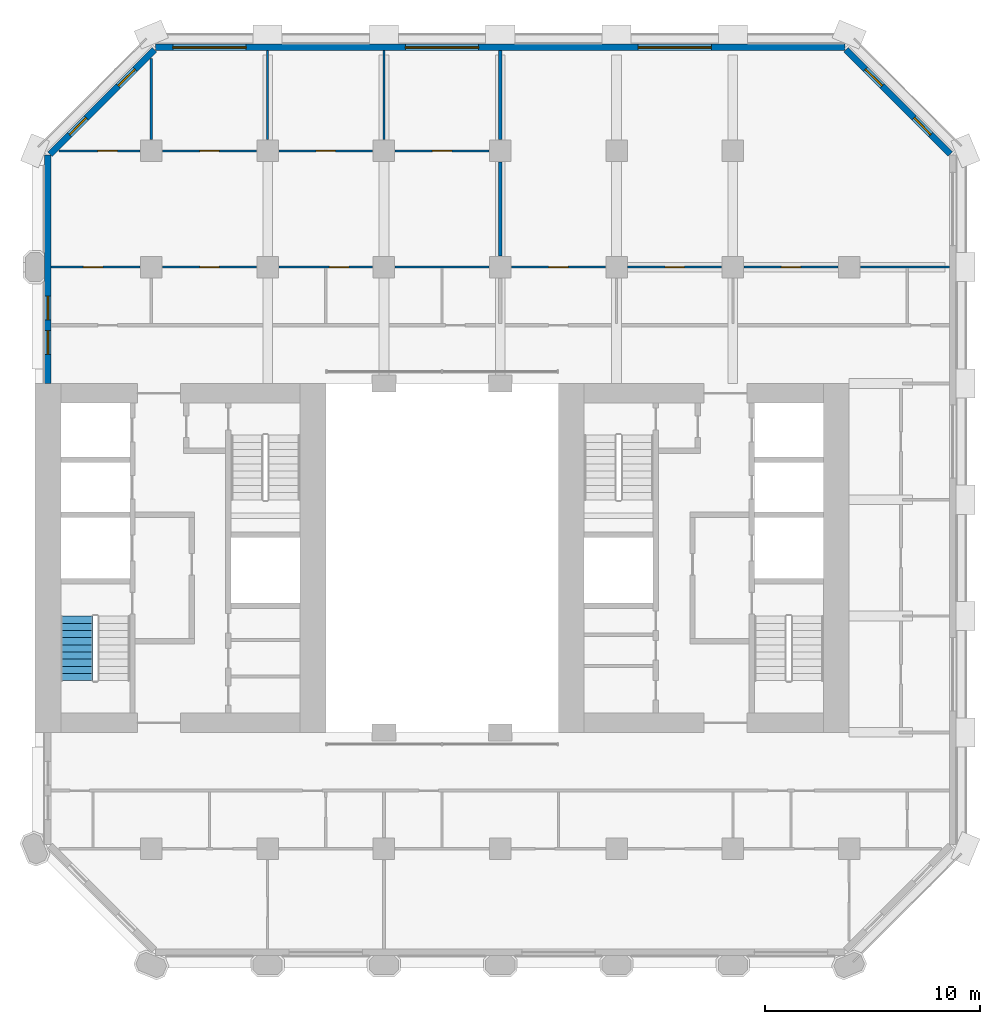
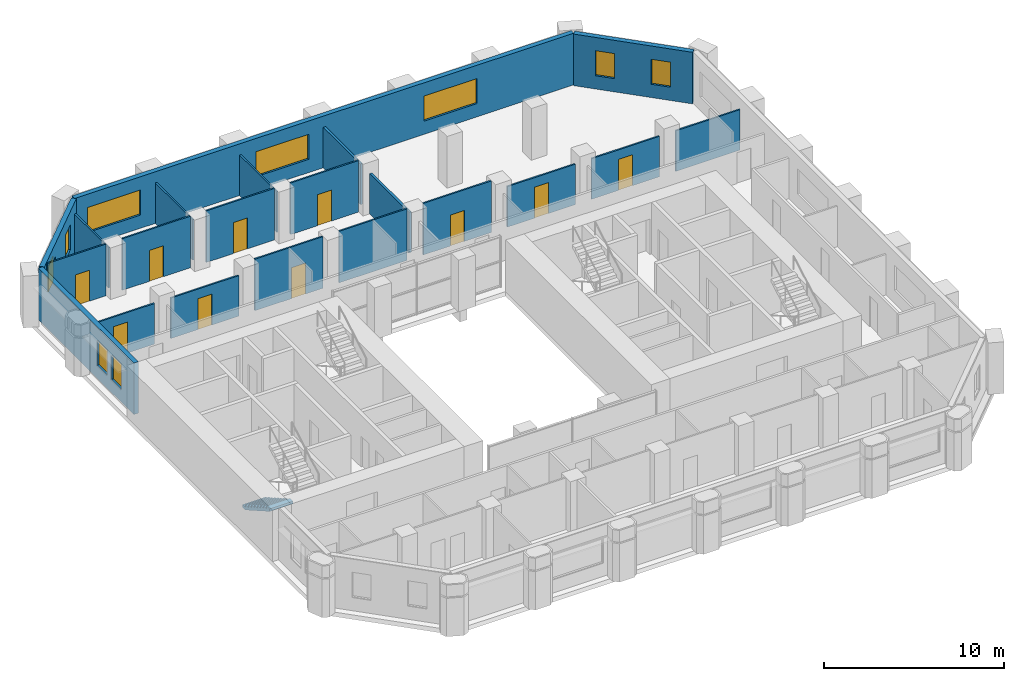
# One storey, part 7 of 11: 21 walls, 10 doors, 9 windows, 1 stair flight, 19 openings, 1 element without a shape of its own.
"""IFC4 building model written with IfcOpenShell, lengths in metres."""

from ifc_helpers import new_model, si_unit, direction, frame, frame_2d, origin, place, context, subcontext, project, spatial, polyline, rectangle, outline, extrude, material, layer, layer_set, type_object, element, fill, aggregate, save


model = new_model("IFC4")

# Units and contexts
model_context = context("Model", 3, precision=1e-05, world=origin(), true_north=direction((0.0, 1.0)))
body_context = subcontext(model_context, "Body", "Model", "MODEL_VIEW")
ifc_project = project(units=[si_unit("LENGTHUNIT", "METRE"), si_unit("AREAUNIT", "SQUARE_METRE"), si_unit("VOLUMEUNIT", "CUBIC_METRE"), si_unit("PLANEANGLEUNIT", "RADIAN"), si_unit("MASSUNIT", "GRAM", prefix="KILO")], contexts=[model_context])

# Site, building, storey
site_placement = place(None, origin())
site = spatial("IfcSite", under=ifc_project, at=site_placement, CompositionType="ELEMENT")
building_placement = place(site_placement, origin())
building = spatial("IfcBuilding", under=site, at=building_placement, Name="Tabaq Tower and Sports Hall", CompositionType="ELEMENT")
storey_placement = place(building_placement, frame((0.0, 0.0, 91.60009765625)))
storey = spatial("IfcBuildingStorey", under=building, at=storey_placement, Name="L21", CompositionType="ELEMENT", Elevation=91.60009765625)

# Wall, opening, door
ifc_material_1 = material(Name="Gypsum board on steel studs", Category="steel")
ifc_layer_1 = layer(ifc_material_1, 0.10009765625)
ifc_layer_set_1 = layer_set([ifc_layer_1], Name="Partition 100 Gypsum board")
wall_type_1 = type_object("IfcWallType", Name="Partition 100 Gypsum board", PredefinedType="PARTITIONING", material=ifc_layer_set_1)
wall_1_placement = place(storey_placement, frame((10.280029296875, 37.800048828125, 0.0), z_axis=(0.0, 0.0, 1.0), x_axis=(-1.0, 0.0, 0.0)))
wall_1 = element("IfcWall", 1, at=wall_1_placement, inside=storey, type_object=wall_type_1, Name="Partition wall L21", PredefinedType="PARTITIONING", context=body_context, shape_type="SweptSolid", body=[
    extrude(rectangle(XDim=4.129150390625, YDim=0.10009765625, at=frame_2d((2.064453125, 0.0))), origin(), (0.0, 0.0, 1.0), 2.75),
])
opening_1_placement = place(wall_1_placement, frame((1.72998046875, 0.0, 0.0)))
opening_1 = element("IfcOpeningElement", 2, at=opening_1_placement, cuts=wall_1, Name="Opening L21-026", PredefinedType="OPENING", context=body_context, shape_type="SweptSolid", body=[
    extrude(rectangle(XDim=0.89990234375, YDim=2.10009765625, at=frame_2d((0.449951171875, 1.050048828125))), frame((0.0, 0.050048828125, 0.0), z_axis=(0.0, -1.0, 0.0), x_axis=(1.0, 0.0, 0.0)), (0.0, 0.0, 1.0), 0.10009765625),
])
ifc_material_2 = material(Name="Timber leaf in steel frame", Category="steel")
door_type_1 = type_object("IfcDoorType", Name="Internal door 900 left hand", OperationType="SINGLE_SWING_LEFT", PredefinedType="DOOR", material=ifc_material_2)
door_1_placement = place(opening_1_placement, origin())
door_1 = element("IfcDoor", 3, at=door_1_placement, inside=storey, type_object=door_type_1, Name="Internal door L21-026", OperationType="SINGLE_SWING_LEFT", OverallHeight=2.10009765625, OverallWidth=0.89990234375, PredefinedType="DOOR", context=body_context, shape_type="SweptSolid", body=[
    extrude(rectangle(XDim=0.89990234375, YDim=2.10009765625, at=frame_2d((0.449951171875, 1.050048828125))), frame((0.0, 0.02490234375, 0.0), z_axis=(0.0, -1.0, 0.0), x_axis=(1.0, 0.0, 0.0)), (0.0, 0.0, 1.0), 0.050048828125),
])
fill(opening_1, door_1)

wall_2_placement = place(storey_placement, frame((15.679931640625, 37.800048828125, 0.0), z_axis=(0.0, 0.0, 1.0), x_axis=(-1.0, 0.0, 0.0)))
wall_2 = element("IfcWall", 4, at=wall_2_placement, inside=storey, type_object=wall_type_1, Name="Partition wall L21", PredefinedType="PARTITIONING", context=body_context, shape_type="SweptSolid", body=[
    extrude(rectangle(XDim=4.35986328125, YDim=0.10009765625, at=frame_2d((2.179931640625, 0.0))), origin(), (0.0, 0.0, 1.0), 2.75),
])
opening_2_placement = place(wall_2_placement, frame((1.72998046875, 0.0, 0.0)))
opening_2 = element("IfcOpeningElement", 5, at=opening_2_placement, cuts=wall_2, Name="Opening L21-009", PredefinedType="OPENING", context=body_context, shape_type="SweptSolid", body=[
    extrude(rectangle(XDim=0.89990234375, YDim=2.10009765625, at=frame_2d((0.449951171875, 1.050048828125))), frame((0.0, 0.050048828125, 0.0), z_axis=(0.0, -1.0, 0.0), x_axis=(1.0, 0.0, 0.0)), (0.0, 0.0, 1.0), 0.10009765625),
])
ifc_material_3 = material(Name="Timber leaf in steel frame", Category="steel")
door_type_2 = type_object("IfcDoorType", Name="Internal door 900 right hand", OperationType="SINGLE_SWING_RIGHT", PredefinedType="DOOR", material=ifc_material_3)
door_2_placement = place(opening_2_placement, origin())
door_2 = element("IfcDoor", 6, at=door_2_placement, inside=storey, type_object=door_type_2, Name="Internal door L21-009", OperationType="SINGLE_SWING_RIGHT", OverallHeight=2.10009765625, OverallWidth=0.89990234375, PredefinedType="DOOR", context=body_context, shape_type="SweptSolid", body=[
    extrude(rectangle(XDim=0.89990234375, YDim=2.10009765625, at=frame_2d((0.449951171875, 1.050048828125))), frame((0.0, 0.02490234375, 0.0), z_axis=(0.0, -1.0, 0.0), x_axis=(1.0, 0.0, 0.0)), (0.0, 0.0, 1.0), 0.050048828125),
])
fill(opening_2, door_2)

wall_3_placement = place(storey_placement, frame((21.080078125, 37.800048828125, 0.0), z_axis=(0.0, 0.0, 1.0), x_axis=(-1.0, 0.0, 0.0)))
wall_3 = element("IfcWall", 7, at=wall_3_placement, inside=storey, type_object=wall_type_1, Name="Partition wall L21", PredefinedType="PARTITIONING", context=body_context, shape_type="SweptSolid", body=[
    extrude(rectangle(XDim=4.360107421875, YDim=0.10009765625, at=frame_2d((2.18017578125, 0.0))), origin(), (0.0, 0.0, 1.0), 3.5),
])
opening_3_placement = place(wall_3_placement, frame((1.110107421875, 0.0, 0.0)))
opening_3 = element("IfcOpeningElement", 8, at=opening_3_placement, cuts=wall_3, Name="Opening L21-010", PredefinedType="OPENING", context=body_context, shape_type="SweptSolid", body=[
    extrude(rectangle(XDim=0.89990234375, YDim=2.10009765625, at=frame_2d((0.449951171875, 1.050048828125))), frame((0.0, 0.050048828125, 0.0), z_axis=(0.0, -1.0, 0.0), x_axis=(1.0, 0.0, 0.0)), (0.0, 0.0, 1.0), 0.10009765625),
])
door_3_placement = place(opening_3_placement, origin())
door_3 = element("IfcDoor", 9, at=door_3_placement, inside=storey, type_object=door_type_2, Name="Internal door L21-010", OperationType="SINGLE_SWING_RIGHT", OverallHeight=2.10009765625, OverallWidth=0.89990234375, PredefinedType="DOOR", context=body_context, shape_type="SweptSolid", body=[
    extrude(rectangle(XDim=0.89990234375, YDim=2.10009765625, at=frame_2d((0.449951171875, 1.050048828125))), frame((0.0, 0.02490234375, 0.0), z_axis=(0.0, -1.0, 0.0), x_axis=(1.0, 0.0, 0.0)), (0.0, 0.0, 1.0), 0.050048828125),
])
fill(opening_3, door_3)

# Wall
wall_4_placement = place(storey_placement, frame((26.47998046875, 37.800048828125, 0.0), z_axis=(0.0, 0.0, 1.0), x_axis=(-1.0, 0.0, 0.0)))
element("IfcWall", 10, at=wall_4_placement, inside=storey, type_object=wall_type_1, Name="Partition wall L21", PredefinedType="PARTITIONING", context=body_context, shape_type="SweptSolid", body=[
    extrude(rectangle(XDim=4.35986328125, YDim=0.10009765625, at=frame_2d((2.179931640625, 0.0))), origin(), (0.0, 0.0, 1.0), 3.5),
])

# Wall, opening, door
wall_5_placement = place(storey_placement, frame((26.47998046875, 43.199951171875, 0.0), z_axis=(0.0, 0.0, 1.0), x_axis=(-1.0, 0.0, 0.0)))
wall_5 = element("IfcWall", 11, at=wall_5_placement, inside=storey, type_object=wall_type_1, Name="Partition wall L21", PredefinedType="PARTITIONING", context=body_context, shape_type="SweptSolid", body=[
    extrude(rectangle(XDim=4.35986328125, YDim=0.10009765625, at=frame_2d((2.179931640625, 0.0))), origin(), (0.0, 0.0, 1.0), 3.5),
])
opening_4_placement = place(wall_5_placement, frame((1.72998046875, 0.0, 0.0)))
opening_4 = element("IfcOpeningElement", 12, at=opening_4_placement, cuts=wall_5, Name="Opening L21-014", PredefinedType="OPENING", context=body_context, shape_type="SweptSolid", body=[
    extrude(rectangle(XDim=0.89990234375, YDim=2.10009765625, at=frame_2d((0.449951171875, 1.050048828125))), frame((0.0, 0.050048828125, 0.0), z_axis=(0.0, -1.0, 0.0), x_axis=(1.0, 0.0, 0.0)), (0.0, 0.0, 1.0), 0.10009765625),
])
door_4_placement = place(opening_4_placement, origin())
door_4 = element("IfcDoor", 13, at=door_4_placement, inside=storey, type_object=door_type_2, Name="Internal door L21-014", OperationType="SINGLE_SWING_RIGHT", OverallHeight=2.10009765625, OverallWidth=0.89990234375, PredefinedType="DOOR", context=body_context, shape_type="SweptSolid", body=[
    extrude(rectangle(XDim=0.89990234375, YDim=2.10009765625, at=frame_2d((0.449951171875, 1.050048828125))), frame((0.0, 0.02490234375, 0.0), z_axis=(0.0, -1.0, 0.0), x_axis=(1.0, 0.0, 0.0)), (0.0, 0.0, 1.0), 0.050048828125),
])
fill(opening_4, door_4)

wall_6_placement = place(storey_placement, frame((21.080078125, 43.199951171875, 0.0), z_axis=(0.0, 0.0, 1.0), x_axis=(-1.0, 0.0, 0.0)))
wall_6 = element("IfcWall", 14, at=wall_6_placement, inside=storey, type_object=wall_type_1, Name="Partition wall L21", PredefinedType="PARTITIONING", context=body_context, shape_type="SweptSolid", body=[
    extrude(rectangle(XDim=4.360107421875, YDim=0.10009765625, at=frame_2d((2.18017578125, 0.0))), origin(), (0.0, 0.0, 1.0), 3.5),
])
opening_5_placement = place(wall_6_placement, frame((1.72998046875, 0.0, 0.0)))
opening_5 = element("IfcOpeningElement", 15, at=opening_5_placement, cuts=wall_6, Name="Opening L21-013", PredefinedType="OPENING", context=body_context, shape_type="SweptSolid", body=[
    extrude(rectangle(XDim=0.89990234375, YDim=2.10009765625, at=frame_2d((0.449951171875, 1.050048828125))), frame((0.0, 0.050048828125, 0.0), z_axis=(0.0, -1.0, 0.0), x_axis=(1.0, 0.0, 0.0)), (0.0, 0.0, 1.0), 0.10009765625),
])
door_5_placement = place(opening_5_placement, origin())
door_5 = element("IfcDoor", 16, at=door_5_placement, inside=storey, type_object=door_type_2, Name="Internal door L21-013", OperationType="SINGLE_SWING_RIGHT", OverallHeight=2.10009765625, OverallWidth=0.89990234375, PredefinedType="DOOR", context=body_context, shape_type="SweptSolid", body=[
    extrude(rectangle(XDim=0.89990234375, YDim=2.10009765625, at=frame_2d((0.449951171875, 1.050048828125))), frame((0.0, 0.02490234375, 0.0), z_axis=(0.0, -1.0, 0.0), x_axis=(1.0, 0.0, 0.0)), (0.0, 0.0, 1.0), 0.050048828125),
])
fill(opening_5, door_5)

wall_7_placement = place(storey_placement, frame((15.679931640625, 43.199951171875, 0.0), z_axis=(0.0, 0.0, 1.0), x_axis=(-1.0, 0.0, 0.0)))
wall_7 = element("IfcWall", 17, at=wall_7_placement, inside=storey, type_object=wall_type_1, Name="Partition wall L21", PredefinedType="PARTITIONING", context=body_context, shape_type="SweptSolid", body=[
    extrude(rectangle(XDim=4.35986328125, YDim=0.10009765625, at=frame_2d((2.179931640625, 0.0))), origin(), (0.0, 0.0, 1.0), 3.5),
])
opening_6_placement = place(wall_7_placement, frame((1.72998046875, 0.0, 0.0)))
opening_6 = element("IfcOpeningElement", 18, at=opening_6_placement, cuts=wall_7, Name="Opening L21-012", PredefinedType="OPENING", context=body_context, shape_type="SweptSolid", body=[
    extrude(rectangle(XDim=0.89990234375, YDim=2.10009765625, at=frame_2d((0.449951171875, 1.050048828125))), frame((0.0, 0.050048828125, 0.0), z_axis=(0.0, -1.0, 0.0), x_axis=(1.0, 0.0, 0.0)), (0.0, 0.0, 1.0), 0.10009765625),
])
door_6_placement = place(opening_6_placement, origin())
door_6 = element("IfcDoor", 19, at=door_6_placement, inside=storey, type_object=door_type_2, Name="Internal door L21-012", OperationType="SINGLE_SWING_RIGHT", OverallHeight=2.10009765625, OverallWidth=0.89990234375, PredefinedType="DOOR", context=body_context, shape_type="SweptSolid", body=[
    extrude(rectangle(XDim=0.89990234375, YDim=2.10009765625, at=frame_2d((0.449951171875, 1.050048828125))), frame((0.0, 0.02490234375, 0.0), z_axis=(0.0, -1.0, 0.0), x_axis=(1.0, 0.0, 0.0)), (0.0, 0.0, 1.0), 0.050048828125),
])
fill(opening_6, door_6)

wall_8_placement = place(storey_placement, frame((10.280029296875, 43.199951171875, 0.0), z_axis=(0.0, 0.0, 1.0), x_axis=(-1.0, 0.0, 0.0)))
wall_8 = element("IfcWall", 20, at=wall_8_placement, inside=storey, type_object=wall_type_1, Name="Partition wall L21", PredefinedType="PARTITIONING", context=body_context, shape_type="SweptSolid", body=[
    extrude(rectangle(XDim=3.767822265625, YDim=0.10009765625, at=frame_2d((1.8837890625, 0.0))), origin(), (0.0, 0.0, 1.0), 3.5),
])
opening_7_placement = place(wall_8_placement, frame((1.054931640625, 0.0, 0.0)))
opening_7 = element("IfcOpeningElement", 21, at=opening_7_placement, cuts=wall_8, Name="Opening L21-011", PredefinedType="OPENING", context=body_context, shape_type="SweptSolid", body=[
    extrude(rectangle(XDim=0.89990234375, YDim=2.10009765625, at=frame_2d((0.449951171875, 1.050048828125))), frame((0.0, 0.050048828125, 0.0), z_axis=(0.0, -1.0, 0.0), x_axis=(1.0, 0.0, 0.0)), (0.0, 0.0, 1.0), 0.10009765625),
])
door_7_placement = place(opening_7_placement, origin())
door_7 = element("IfcDoor", 22, at=door_7_placement, inside=storey, type_object=door_type_2, Name="Internal door L21-011", OperationType="SINGLE_SWING_RIGHT", OverallHeight=2.10009765625, OverallWidth=0.89990234375, PredefinedType="DOOR", context=body_context, shape_type="SweptSolid", body=[
    extrude(rectangle(XDim=0.89990234375, YDim=2.10009765625, at=frame_2d((0.449951171875, 1.050048828125))), frame((0.0, 0.02490234375, 0.0), z_axis=(0.0, -1.0, 0.0), x_axis=(1.0, 0.0, 0.0)), (0.0, 0.0, 1.0), 0.050048828125),
])
fill(opening_7, door_7)

# Walls
wall_9_placement = place(storey_placement, frame((10.800048828125, 43.719970703125, 0.0), z_axis=(0.0, 0.0, 1.0), x_axis=(0.0, 1.0, 0.0)))
element("IfcWall", 23, at=wall_9_placement, inside=storey, type_object=wall_type_1, Name="Partition wall L21", PredefinedType="PARTITIONING", context=body_context, shape_type="SweptSolid", body=[
    extrude(rectangle(XDim=3.767822265625, YDim=0.10009765625, at=frame_2d((1.8837890625, 0.0))), origin(), (0.0, 0.0, 1.0), 2.75),
])
for number, where, z_axis, x_axis, name in (
    (24, (16.199951171875, 43.719970703125, 0.0), (0.0, 0.0, 1.0), (0.0, 1.0, 0.0), "Partition wall L21"),
    (25, (21.60009765625, 43.719970703125, 0.0), (0.0, 0.0, 1.0), (0.0, 1.0, 0.0), "Partition wall L21"),
):
    element("IfcWall", number, at=place(storey_placement, frame(where, z_axis=z_axis, x_axis=x_axis)), inside=storey, type_object=wall_type_1, Name=name, PredefinedType="PARTITIONING", context=body_context, shape_type="SweptSolid", body=[
        extrude(rectangle(XDim=4.129150390625, YDim=0.10009765625, at=frame_2d((2.064453125, 0.0))), origin(), (0.0, 0.0, 1.0), 2.75),
    ])

# Wall, opening, door
wall_10_placement = place(storey_placement, frame((31.8798828125, 37.800048828125, 0.0), z_axis=(0.0, 0.0, 1.0), x_axis=(-1.0, 0.0, 0.0)))
wall_10 = element("IfcWall", 26, at=wall_10_placement, inside=storey, type_object=wall_type_1, Name="Partition wall L21", PredefinedType="PARTITIONING", context=body_context, shape_type="SweptSolid", body=[
    extrude(rectangle(XDim=4.35986328125, YDim=0.10009765625, at=frame_2d((2.179931640625, 0.0))), origin(), (0.0, 0.0, 1.0), 3.5),
])
opening_8_placement = place(wall_10_placement, frame((1.72998046875, 0.0, 0.0)))
opening_8 = element("IfcOpeningElement", 27, at=opening_8_placement, cuts=wall_10, Name="Opening L21-027", PredefinedType="OPENING", context=body_context, shape_type="SweptSolid", body=[
    extrude(rectangle(XDim=0.89990234375, YDim=2.10009765625, at=frame_2d((0.449951171875, 1.050048828125))), frame((0.0, 0.050048828125, 0.0), z_axis=(0.0, -1.0, 0.0), x_axis=(1.0, 0.0, 0.0)), (0.0, 0.0, 1.0), 0.10009765625),
])
door_8_placement = place(opening_8_placement, origin())
door_8 = element("IfcDoor", 28, at=door_8_placement, inside=storey, type_object=door_type_2, Name="Internal door L21-027", OperationType="SINGLE_SWING_RIGHT", OverallHeight=2.10009765625, OverallWidth=0.89990234375, PredefinedType="DOOR", context=body_context, shape_type="SweptSolid", body=[
    extrude(rectangle(XDim=0.89990234375, YDim=2.10009765625, at=frame_2d((0.449951171875, 1.050048828125))), frame((0.0, 0.02490234375, 0.0), z_axis=(0.0, -1.0, 0.0), x_axis=(1.0, 0.0, 0.0)), (0.0, 0.0, 1.0), 0.050048828125),
])
fill(opening_8, door_8)

wall_11_placement = place(storey_placement, frame((37.280029296875, 37.800048828125, 0.0), z_axis=(0.0, 0.0, 1.0), x_axis=(-1.0, 0.0, 0.0)))
wall_11 = element("IfcWall", 29, at=wall_11_placement, inside=storey, type_object=wall_type_1, Name="Partition wall L21", PredefinedType="PARTITIONING", context=body_context, shape_type="SweptSolid", body=[
    extrude(rectangle(XDim=4.360107421875, YDim=0.10009765625, at=frame_2d((2.18017578125, 0.0))), origin(), (0.0, 0.0, 1.0), 2.75),
])
opening_9_placement = place(wall_11_placement, frame((1.72998046875, 0.0, 0.0)))
opening_9 = element("IfcOpeningElement", 30, at=opening_9_placement, cuts=wall_11, Name="Opening L21-015", PredefinedType="OPENING", context=body_context, shape_type="SweptSolid", body=[
    extrude(rectangle(XDim=0.89990234375, YDim=2.10009765625, at=frame_2d((0.449951171875, 1.050048828125))), frame((0.0, 0.050048828125, 0.0), z_axis=(0.0, -1.0, 0.0), x_axis=(1.0, 0.0, 0.0)), (0.0, 0.0, 1.0), 0.10009765625),
])
door_9_placement = place(opening_9_placement, origin())
door_9 = element("IfcDoor", 31, at=door_9_placement, inside=storey, type_object=door_type_1, Name="Internal door L21-015", OperationType="SINGLE_SWING_LEFT", OverallHeight=2.10009765625, OverallWidth=0.89990234375, PredefinedType="DOOR", context=body_context, shape_type="SweptSolid", body=[
    extrude(rectangle(XDim=0.89990234375, YDim=2.10009765625, at=frame_2d((0.449951171875, 1.050048828125))), frame((0.0, 0.02490234375, 0.0), z_axis=(0.0, -1.0, 0.0), x_axis=(1.0, 0.0, 0.0)), (0.0, 0.0, 1.0), 0.050048828125),
])
fill(opening_9, door_9)

wall_12_placement = place(storey_placement, frame((42.679931640625, 37.800048828125, 0.0), z_axis=(0.0, 0.0, 1.0), x_axis=(-1.0, 0.0, 0.0)))
wall_12 = element("IfcWall", 32, at=wall_12_placement, inside=storey, type_object=wall_type_1, Name="Partition wall L21", PredefinedType="PARTITIONING", context=body_context, shape_type="SweptSolid", body=[
    extrude(rectangle(XDim=4.35986328125, YDim=0.10009765625, at=frame_2d((2.179931640625, 0.0))), origin(), (0.0, 0.0, 1.0), 2.75),
])
opening_10_placement = place(wall_12_placement, frame((1.72998046875, 0.0, 0.0)))
opening_10 = element("IfcOpeningElement", 33, at=opening_10_placement, cuts=wall_12, Name="Opening L21-016", PredefinedType="OPENING", context=body_context, shape_type="SweptSolid", body=[
    extrude(rectangle(XDim=0.89990234375, YDim=2.10009765625, at=frame_2d((0.449951171875, 1.050048828125))), frame((0.0, 0.050048828125, 0.0), z_axis=(0.0, -1.0, 0.0), x_axis=(1.0, 0.0, 0.0)), (0.0, 0.0, 1.0), 0.10009765625),
])
door_10_placement = place(opening_10_placement, origin())
door_10 = element("IfcDoor", 34, at=door_10_placement, inside=storey, type_object=door_type_1, Name="Internal door L21-016", OperationType="SINGLE_SWING_LEFT", OverallHeight=2.10009765625, OverallWidth=0.89990234375, PredefinedType="DOOR", context=body_context, shape_type="SweptSolid", body=[
    extrude(rectangle(XDim=0.89990234375, YDim=2.10009765625, at=frame_2d((0.449951171875, 1.050048828125))), frame((0.0, 0.02490234375, 0.0), z_axis=(0.0, -1.0, 0.0), x_axis=(1.0, 0.0, 0.0)), (0.0, 0.0, 1.0), 0.050048828125),
])
fill(opening_10, door_10)

# Walls
wall_13_placement = place(storey_placement, frame((47.84912109375, 37.800048828125, 0.0), z_axis=(0.0, 0.0, 1.0), x_axis=(-1.0, 0.0, 0.0)))
element("IfcWall", 35, at=wall_13_placement, inside=storey, type_object=wall_type_1, Name="Partition wall L21", PredefinedType="PARTITIONING", context=body_context, shape_type="SweptSolid", body=[
    extrude(rectangle(XDim=4.129150390625, YDim=0.10009765625, at=frame_2d((2.064453125, 0.0))), origin(), (0.0, 0.0, 1.0), 2.75),
])
ifc_material_4 = material(Name="Blockwork", Category="masonry")
ifc_layer_2 = layer(ifc_material_4, 0.14990234375)
ifc_layer_set_2 = layer_set([ifc_layer_2], Name="Separating wall 150 Blockwork")
wall_type_2 = type_object("IfcWallType", Name="Separating wall 150 Blockwork", PredefinedType="PARTITIONING", material=ifc_layer_set_2)
wall_14_placement = place(storey_placement, frame((27.0, 38.320068359375, 0.0), z_axis=(0.0, 0.0, 1.0), x_axis=(0.0, 1.0, 0.0)))
element("IfcWall", 36, at=wall_14_placement, inside=storey, type_object=wall_type_2, Name="Separating wall L21", PredefinedType="PARTITIONING", context=body_context, shape_type="SweptSolid", body=[
    extrude(rectangle(XDim=4.35986328125, YDim=0.14990234375, at=frame_2d((2.179931640625, 0.0))), origin(), (0.0, 0.0, 1.0), 2.75),
])
wall_15_placement = place(storey_placement, frame((27.0, 43.719970703125, 0.0), z_axis=(0.0, 0.0, 1.0), x_axis=(0.0, 1.0, 0.0)))
element("IfcWall", 37, at=wall_15_placement, inside=storey, type_object=wall_type_2, Name="Separating wall L21", PredefinedType="PARTITIONING", context=body_context, shape_type="SweptSolid", body=[
    extrude(rectangle(XDim=4.129150390625, YDim=0.14990234375, at=frame_2d((2.064453125, 0.0))), origin(), (0.0, 0.0, 1.0), 2.75),
])

# Wall, openings, windows
ifc_material_5 = material(Name="White precast concrete C60/75", Category="concrete")
ifc_layer_3 = layer(ifc_material_5, 0.300048828125)
ifc_layer_set_3 = layer_set([ifc_layer_3], Name="White precast concrete C60/75 external wall 300")
wall_type_3 = type_object("IfcWallType", Name="White precast concrete C60/75 external wall 300", PredefinedType="SOLIDWALL", material=ifc_layer_set_3)
wall_16_placement = place(storey_placement, frame((47.901123046875, 43.050537109375, 0.0), z_axis=(0.0, 0.0, 1.0), x_axis=(-0.707106781187, 0.707106781187, 0.0)))
wall_16 = element("IfcWall", 38, at=wall_16_placement, inside=storey, type_object=wall_type_3, Name="External Wall L21 NE", PredefinedType="SOLIDWALL", context=body_context, shape_type="SweptSolid", body=[
    extrude(rectangle(XDim=6.85986328125, YDim=0.300048828125, at=frame_2d((3.429931640625, 0.0))), origin(), (0.0, 0.0, 1.0), 3.5),
])
opening_11_placement = place(wall_16_placement, frame((1.27978515625, 0.0, 0.89990234375)))
opening_11 = element("IfcOpeningElement", 39, at=opening_11_placement, cuts=wall_16, Name="Opening W1B", PredefinedType="OPENING", context=body_context, shape_type="SweptSolid", body=[
    extrude(rectangle(XDim=1.10009765625, YDim=1.699951171875, at=frame_2d((0.550048828125, 0.85009765625))), frame((0.0, 0.16015625, 0.0), z_axis=(0.0, -1.0, 0.0), x_axis=(1.0, 0.0, 0.0)), (0.0, 0.0, 1.0), 0.320068359375),
])
opening_12_placement = place(wall_16_placement, frame((4.479736328125, 0.0, 0.89990234375)))
opening_12 = element("IfcOpeningElement", 40, at=opening_12_placement, cuts=wall_16, Name="Opening W1B", PredefinedType="OPENING", context=body_context, shape_type="SweptSolid", body=[
    extrude(rectangle(XDim=1.10009765625, YDim=1.699951171875, at=frame_2d((0.550048828125, 0.85009765625))), frame((0.0, 0.16015625, 0.0), z_axis=(0.0, -1.0, 0.0), x_axis=(1.0, 0.0, 0.0)), (0.0, 0.0, 1.0), 0.320068359375),
])
ifc_material_6 = material(Name="Aluminium framed clear glazing", Category="aluminium")
window_type_1 = type_object("IfcWindowType", Name="Window W1B", PartitioningType="SINGLE_PANEL", PredefinedType="WINDOW", material=ifc_material_6)
window_1_placement = place(opening_11_placement, origin())
window_1 = element("IfcWindow", 41, at=window_1_placement, inside=storey, type_object=window_type_1, Name="Window W1B L21", OverallHeight=1.699951171875, OverallWidth=1.10009765625, PartitioningType="SINGLE_PANEL", PredefinedType="WINDOW", context=body_context, shape_type="SweptSolid", body=[
    extrude(rectangle(XDim=1.10009765625, YDim=1.699951171875, at=frame_2d((0.550048828125, 0.85009765625))), frame((0.0, 0.030029296875, 0.0), z_axis=(0.0, -1.0, 0.0), x_axis=(1.0, 0.0, 0.0)), (0.0, 0.0, 1.0), 0.06005859375),
])
fill(opening_11, window_1)
window_2_placement = place(opening_12_placement, origin())
window_2 = element("IfcWindow", 42, at=window_2_placement, inside=storey, type_object=window_type_1, Name="Window W1B L21", OverallHeight=1.699951171875, OverallWidth=1.10009765625, PartitioningType="SINGLE_PANEL", PredefinedType="WINDOW", context=body_context, shape_type="SweptSolid", body=[
    extrude(rectangle(XDim=1.10009765625, YDim=1.699951171875, at=frame_2d((0.550048828125, 0.85009765625))), frame((0.0, 0.030029296875, 0.0), z_axis=(0.0, -1.0, 0.0), x_axis=(1.0, 0.0, 0.0)), (0.0, 0.0, 1.0), 0.06005859375),
])
fill(opening_12, window_2)

wall_17_placement = place(storey_placement, frame((43.013671875, 48.0, 0.0), z_axis=(0.0, 0.0, 1.0), x_axis=(-1.0, 0.0, 0.0)))
wall_17 = element("IfcWall", 43, at=wall_17_placement, inside=storey, type_object=wall_type_3, Name="External Wall L21 N", PredefinedType="SOLIDWALL", context=body_context, shape_type="SweptSolid", body=[
    extrude(rectangle(XDim=32.02734375, YDim=0.300048828125, at=frame_2d((16.013671875, 0.0))), origin(), (0.0, 0.0, 1.0), 3.5),
])
opening_13_placement = place(wall_17_placement, frame((6.213623046875, 0.0, 0.89990234375)))
opening_13 = element("IfcOpeningElement", 44, at=opening_13_placement, cuts=wall_17, Name="Opening W1A", PredefinedType="OPENING", context=body_context, shape_type="SweptSolid", body=[
    extrude(rectangle(XDim=3.39990234375, YDim=1.699951171875, at=frame_2d((1.699951171875, 0.85009765625))), frame((0.0, 0.16015625, 0.0), z_axis=(0.0, -1.0, 0.0), x_axis=(1.0, 0.0, 0.0)), (0.0, 0.0, 1.0), 0.320068359375),
])
opening_14_placement = place(wall_17_placement, frame((17.013671875, 0.0, 0.89990234375)))
opening_14 = element("IfcOpeningElement", 45, at=opening_14_placement, cuts=wall_17, Name="Opening W1A", PredefinedType="OPENING", context=body_context, shape_type="SweptSolid", body=[
    extrude(rectangle(XDim=3.39990234375, YDim=1.699951171875, at=frame_2d((1.699951171875, 0.85009765625))), frame((0.0, 0.16015625, 0.0), z_axis=(0.0, -1.0, 0.0), x_axis=(1.0, 0.0, 0.0)), (0.0, 0.0, 1.0), 0.320068359375),
])
opening_15_placement = place(wall_17_placement, frame((27.813720703125, 0.0, 0.89990234375)))
opening_15 = element("IfcOpeningElement", 46, at=opening_15_placement, cuts=wall_17, Name="Opening W1A", PredefinedType="OPENING", context=body_context, shape_type="SweptSolid", body=[
    extrude(rectangle(XDim=3.39990234375, YDim=1.699951171875, at=frame_2d((1.699951171875, 0.85009765625))), frame((0.0, 0.16015625, 0.0), z_axis=(0.0, -1.0, 0.0), x_axis=(1.0, 0.0, 0.0)), (0.0, 0.0, 1.0), 0.320068359375),
])
ifc_material_7 = material(Name="Aluminium framed clear glazing", Category="aluminium")
window_type_2 = type_object("IfcWindowType", Name="Window W1A", PartitioningType="SINGLE_PANEL", PredefinedType="WINDOW", material=ifc_material_7)
window_3_placement = place(opening_13_placement, origin())
window_3 = element("IfcWindow", 47, at=window_3_placement, inside=storey, type_object=window_type_2, Name="Window W1A L21", OverallHeight=1.699951171875, OverallWidth=3.39990234375, PartitioningType="SINGLE_PANEL", PredefinedType="WINDOW", context=body_context, shape_type="SweptSolid", body=[
    extrude(rectangle(XDim=3.39990234375, YDim=1.699951171875, at=frame_2d((1.699951171875, 0.85009765625))), frame((0.0, 0.030029296875, 0.0), z_axis=(0.0, -1.0, 0.0), x_axis=(1.0, 0.0, 0.0)), (0.0, 0.0, 1.0), 0.06005859375),
])
fill(opening_13, window_3)
window_4_placement = place(opening_14_placement, origin())
window_4 = element("IfcWindow", 48, at=window_4_placement, inside=storey, type_object=window_type_2, Name="Window W1A L21", OverallHeight=1.699951171875, OverallWidth=3.39990234375, PartitioningType="SINGLE_PANEL", PredefinedType="WINDOW", context=body_context, shape_type="SweptSolid", body=[
    extrude(rectangle(XDim=3.39990234375, YDim=1.699951171875, at=frame_2d((1.699951171875, 0.85009765625))), frame((0.0, 0.030029296875, 0.0), z_axis=(0.0, -1.0, 0.0), x_axis=(1.0, 0.0, 0.0)), (0.0, 0.0, 1.0), 0.06005859375),
])
fill(opening_14, window_4)
window_5_placement = place(opening_15_placement, origin())
window_5 = element("IfcWindow", 49, at=window_5_placement, inside=storey, type_object=window_type_2, Name="Window W1A L21", OverallHeight=1.699951171875, OverallWidth=3.39990234375, PartitioningType="SINGLE_PANEL", PredefinedType="WINDOW", context=body_context, shape_type="SweptSolid", body=[
    extrude(rectangle(XDim=3.39990234375, YDim=1.699951171875, at=frame_2d((1.699951171875, 0.85009765625))), frame((0.0, 0.030029296875, 0.0), z_axis=(0.0, -1.0, 0.0), x_axis=(1.0, 0.0, 0.0)), (0.0, 0.0, 1.0), 0.06005859375),
])
fill(opening_15, window_5)

wall_18_placement = place(storey_placement, frame((10.949462890625, 47.901123046875, 0.0), z_axis=(0.0, 0.0, 1.0), x_axis=(-0.707106781187, -0.707106781187, 0.0)))
wall_18 = element("IfcWall", 50, at=wall_18_placement, inside=storey, type_object=wall_type_3, Name="External Wall L21 NW", PredefinedType="SOLIDWALL", context=body_context, shape_type="SweptSolid", body=[
    extrude(rectangle(XDim=6.85986328125, YDim=0.300048828125, at=frame_2d((3.429931640625, 0.0))), origin(), (0.0, 0.0, 1.0), 3.5),
])
opening_16_placement = place(wall_18_placement, frame((1.27978515625, 0.0, 0.89990234375)))
opening_16 = element("IfcOpeningElement", 51, at=opening_16_placement, cuts=wall_18, Name="Opening W1B", PredefinedType="OPENING", context=body_context, shape_type="SweptSolid", body=[
    extrude(rectangle(XDim=1.10009765625, YDim=1.699951171875, at=frame_2d((0.550048828125, 0.85009765625))), frame((0.0, 0.16015625, 0.0), z_axis=(0.0, -1.0, 0.0), x_axis=(1.0, 0.0, 0.0)), (0.0, 0.0, 1.0), 0.320068359375),
])
opening_17_placement = place(wall_18_placement, frame((4.479736328125, 0.0, 0.89990234375)))
opening_17 = element("IfcOpeningElement", 52, at=opening_17_placement, cuts=wall_18, Name="Opening W1B", PredefinedType="OPENING", context=body_context, shape_type="SweptSolid", body=[
    extrude(rectangle(XDim=1.10009765625, YDim=1.699951171875, at=frame_2d((0.550048828125, 0.85009765625))), frame((0.0, 0.16015625, 0.0), z_axis=(0.0, -1.0, 0.0), x_axis=(1.0, 0.0, 0.0)), (0.0, 0.0, 1.0), 0.320068359375),
])
window_6_placement = place(opening_16_placement, origin())
window_6 = element("IfcWindow", 53, at=window_6_placement, inside=storey, type_object=window_type_1, Name="Window W1B L21", OverallHeight=1.699951171875, OverallWidth=1.10009765625, PartitioningType="SINGLE_PANEL", PredefinedType="WINDOW", context=body_context, shape_type="SweptSolid", body=[
    extrude(rectangle(XDim=1.10009765625, YDim=1.699951171875, at=frame_2d((0.550048828125, 0.85009765625))), frame((0.0, 0.030029296875, 0.0), z_axis=(0.0, -1.0, 0.0), x_axis=(1.0, 0.0, 0.0)), (0.0, 0.0, 1.0), 0.06005859375),
])
fill(opening_16, window_6)
window_7_placement = place(opening_17_placement, origin())
window_7 = element("IfcWindow", 54, at=window_7_placement, inside=storey, type_object=window_type_1, Name="Window W1B L21", OverallHeight=1.699951171875, OverallWidth=1.10009765625, PartitioningType="SINGLE_PANEL", PredefinedType="WINDOW", context=body_context, shape_type="SweptSolid", body=[
    extrude(rectangle(XDim=1.10009765625, YDim=1.699951171875, at=frame_2d((0.550048828125, 0.85009765625))), frame((0.0, 0.030029296875, 0.0), z_axis=(0.0, -1.0, 0.0), x_axis=(1.0, 0.0, 0.0)), (0.0, 0.0, 1.0), 0.06005859375),
])
fill(opening_17, window_7)

wall_19_placement = place(storey_placement, frame((6.0, 43.013671875, 0.0), z_axis=(0.0, 0.0, 1.0), x_axis=(0.0, -1.0, 0.0)))
wall_19 = element("IfcWall", 55, at=wall_19_placement, inside=storey, type_object=wall_type_3, Name="External Wall L21 W", PredefinedType="SOLIDWALL", context=body_context, shape_type="SweptSolid", body=[
    extrude(rectangle(XDim=10.61376953125, YDim=0.300048828125, at=frame_2d((5.306884765625, 0.0))), origin(), (0.0, 0.0, 1.0), 3.5),
])
opening_18_placement = place(wall_19_placement, frame((6.563720703125, 0.0, 0.89990234375)))
opening_18 = element("IfcOpeningElement", 56, at=opening_18_placement, cuts=wall_19, Name="Opening W1B", PredefinedType="OPENING", context=body_context, shape_type="SweptSolid", body=[
    extrude(rectangle(XDim=1.10009765625, YDim=1.699951171875, at=frame_2d((0.550048828125, 0.85009765625))), frame((0.0, 0.16015625, 0.0), z_axis=(0.0, -1.0, 0.0), x_axis=(1.0, 0.0, 0.0)), (0.0, 0.0, 1.0), 0.320068359375),
])
opening_19_placement = place(wall_19_placement, frame((8.16357421875, 0.0, 0.89990234375)))
opening_19 = element("IfcOpeningElement", 57, at=opening_19_placement, cuts=wall_19, Name="Opening W1B", PredefinedType="OPENING", context=body_context, shape_type="SweptSolid", body=[
    extrude(rectangle(XDim=1.10009765625, YDim=1.699951171875, at=frame_2d((0.550048828125, 0.85009765625))), frame((0.0, 0.16015625, 0.0), z_axis=(0.0, -1.0, 0.0), x_axis=(1.0, 0.0, 0.0)), (0.0, 0.0, 1.0), 0.320068359375),
])
window_8_placement = place(opening_18_placement, origin())
window_8 = element("IfcWindow", 58, at=window_8_placement, inside=storey, type_object=window_type_1, Name="Window W1B L21", OverallHeight=1.699951171875, OverallWidth=1.10009765625, PartitioningType="SINGLE_PANEL", PredefinedType="WINDOW", context=body_context, shape_type="SweptSolid", body=[
    extrude(rectangle(XDim=1.10009765625, YDim=1.699951171875, at=frame_2d((0.550048828125, 0.85009765625))), frame((0.0, 0.030029296875, 0.0), z_axis=(0.0, -1.0, 0.0), x_axis=(1.0, 0.0, 0.0)), (0.0, 0.0, 1.0), 0.06005859375),
])
fill(opening_18, window_8)
window_9_placement = place(opening_19_placement, origin())
window_9 = element("IfcWindow", 59, at=window_9_placement, inside=storey, type_object=window_type_1, Name="Window W1B L21", OverallHeight=1.699951171875, OverallWidth=1.10009765625, PartitioningType="SINGLE_PANEL", PredefinedType="WINDOW", context=body_context, shape_type="SweptSolid", body=[
    extrude(rectangle(XDim=1.10009765625, YDim=1.699951171875, at=frame_2d((0.550048828125, 0.85009765625))), frame((0.0, 0.030029296875, 0.0), z_axis=(0.0, -1.0, 0.0), x_axis=(1.0, 0.0, 0.0)), (0.0, 0.0, 1.0), 0.06005859375),
])
fill(opening_19, window_9)

# Stair, stair flight
ifc_material_8 = material(Name="Concrete C40/50", Category="concrete")
stair_type = type_object("IfcStairType", Name="Exit stair", PredefinedType="HALF_TURN_STAIR", material=ifc_material_8)
stair_placement = place(storey_placement, origin())
stair = element("IfcStair", 60, at=stair_placement, inside=storey, type_object=stair_type, Name="L21 Exit stair ST1", PredefinedType="HALF_TURN_STAIR")
ifc_material_9 = material(Name="Concrete C40/50", Category="concrete")
stair_flight_type = type_object("IfcStairFlightType", Name="Exit stair flight", PredefinedType="STRAIGHT", material=ifc_material_9)
stair_flight_placement = place(storey_placement, frame((7.35009765625, 21.60009765625, 0.0), z_axis=(0.0, 0.0, 1.0), x_axis=(0.0, -1.0, 0.0)))
stair_flight = element("IfcStairFlight", 61, at=stair_flight_placement, type_object=stair_flight_type, Name="ST1 flight 1", NumberOfRisers=10, NumberOfTreads=9, PredefinedType="STRAIGHT", RiserHeight=0.19, TreadLength=0.333333333, context=body_context, shape_type="SweptSolid", body=[
    extrude(outline(polyline([(0.0, 0.0), (0.0, 0.18994140625), (0.333251953125, 0.18994140625), (0.333251953125, 0.3798828125), (0.666748046875, 0.3798828125), (0.666748046875, 0.570068359375), (1.0, 0.570068359375), (1.0, 0.760009765625), (1.333251953125, 0.760009765625), (1.333251953125, 0.949951171875), (1.666748046875, 0.949951171875), (1.666748046875, 1.139892578125), (2.0, 1.139892578125), (2.0, 1.330078125), (2.333251953125, 1.330078125), (2.333251953125, 1.52001953125), (2.666748046875, 1.52001953125), (2.666748046875, 1.7099609375), (3.0, 1.7099609375), (3.0, 1.89990234375), (3.0, 1.537353515625), (0.302734375, 0.0), (0.0, 0.0)])), frame((0.0, 0.75, 0.0), z_axis=(0.0, -1.0, 0.0), x_axis=(1.0, 0.0, 0.0)), (0.0, 0.0, 1.0), 1.5),
])
aggregate(stair, [stair_flight])

save(model, "model.ifc")
